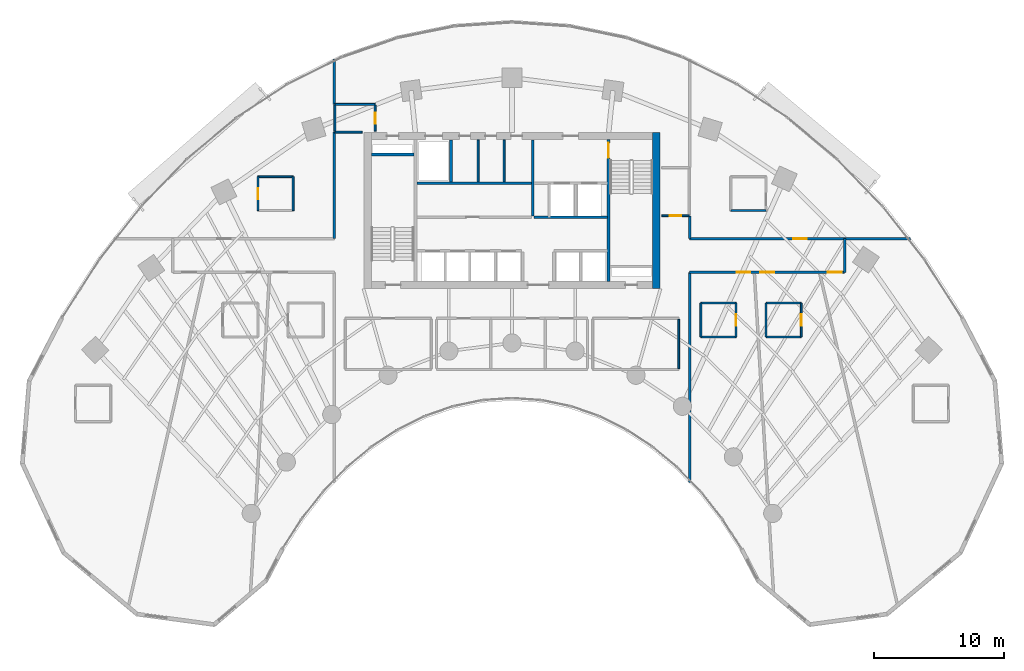
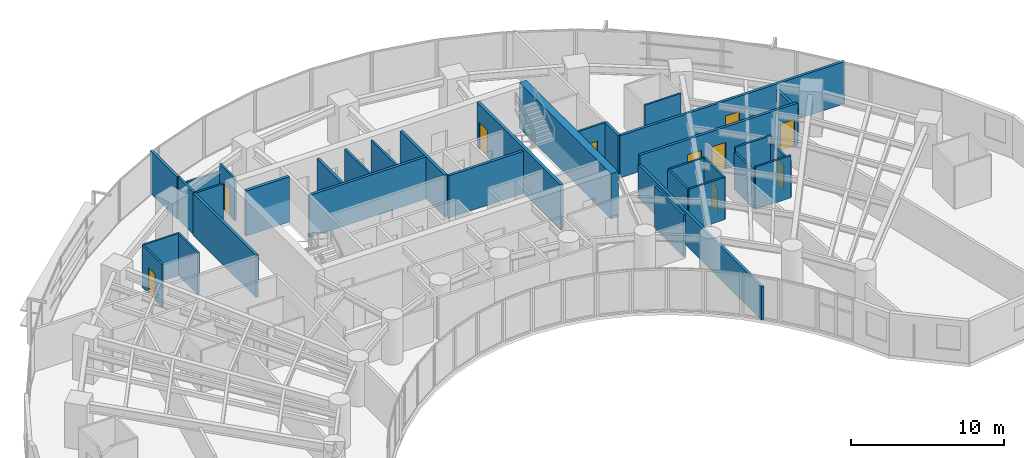
# One storey, part 13 of 17: 34 walls, 10 doors, 10 openings.
"""IFC4 building model written with IfcOpenShell, lengths in metres."""

from ifc_helpers import new_model, si_unit, direction, frame, frame_2d, origin, place, context, subcontext, project, spatial, rectangle, extrude, source, transform, mapped, material, layer, layer_set, type_object, type_shapes, element, fill, save


model = new_model("IFC4")

# Units and contexts
model_context = context("Model", 3, precision=1e-05, world=origin(), true_north=direction((0.0, 1.0)))
body_context = subcontext(model_context, "Body", "Model", "MODEL_VIEW")
ifc_project = project(units=[si_unit("LENGTHUNIT", "METRE"), si_unit("AREAUNIT", "SQUARE_METRE"), si_unit("VOLUMEUNIT", "CUBIC_METRE"), si_unit("PLANEANGLEUNIT", "RADIAN"), si_unit("MASSUNIT", "GRAM", prefix="KILO")], contexts=[model_context])

# Site, building, storey
site_placement = place(None, origin())
site = spatial("IfcSite", under=ifc_project, at=site_placement, CompositionType="ELEMENT")
building_placement = place(site_placement, origin())
building = spatial("IfcBuilding", under=site, at=building_placement, Name="Breltana Convention Tower", CompositionType="ELEMENT")
storey_placement = place(building_placement, frame((0.0, 0.0, 78.60009765625)))
storey = spatial("IfcBuildingStorey", under=building, at=storey_placement, Name="L18", CompositionType="ELEMENT", Elevation=78.60009765625)

# Walls
ifc_material_1 = material(Name="Concrete C60/75", Category="concrete")
ifc_layer_1 = layer(ifc_material_1, 0.550048828125, Name="Concrete C60/75")
ifc_layer_set_1 = layer_set([ifc_layer_1], Name="Concrete C60/75")
wall_type_1 = type_object("IfcWallType", Name="SW-CORE-550", PredefinedType="SHEAR", material=ifc_layer_set_1)
shared_shape_1 = source(origin(), body_context, "Body", "SweptSolid", [
    extrude(rectangle(XDim=12.0, YDim=0.550048828125, at=frame_2d((6.0, 0.0))), origin(), (0.0, 0.0, 1.0), 3.599853515625),
])
wall_1_placement = place(storey_placement, frame((59.074951171875, 60.199951171875, 0.0), z_axis=(0.0, 0.0, 1.0), x_axis=(0.0, 1.0, 0.0)))
element("IfcWall", 1, at=wall_1_placement, inside=storey, type_object=wall_type_1, Name="L18 East Core Shear Wall", PredefinedType="SHEAR", context=body_context, shape_type="MappedRepresentation", body=[
    mapped(shared_shape_1, transform((0.0, 0.0, 0.0), scale=1.0)),
])
ifc_material_2 = material(Name="Concrete C50/60", Category="concrete")
ifc_layer_2 = layer(ifc_material_2, 0.39990234375, Name="Concrete C50/60")
ifc_layer_set_2 = layer_set([ifc_layer_2], Name="Concrete C50/60")
wall_type_2 = type_object("IfcWallType", Name="SW-CORE-400", PredefinedType="SHEAR", material=ifc_layer_set_2)
shared_shape_2 = source(origin(), body_context, "Body", "SweptSolid", [
    extrude(rectangle(XDim=3.27001953125, YDim=0.219970703125, at=frame_2d((1.635009765625, 0.0))), origin(), (0.0, 0.0, 1.0), 3.599853515625),
])
wall_2_placement = place(storey_placement, frame((37.199951171875, 70.510009765625, 0.0), z_axis=(0.0, 0.0, 1.0), x_axis=(1.0, 0.0, 0.0)))
element("IfcWall", 2, at=wall_2_placement, inside=storey, type_object=wall_type_2, Name="L18 ST-1 Stairwell North Bearing Wall", PredefinedType="SHEAR", context=body_context, shape_type="MappedRepresentation", body=[
    mapped(shared_shape_2, transform((0.0, 0.0, 0.0), scale=1.0)),
])

# Wall, opening, door
shared_shape_3 = source(origin(), body_context, "Body", "SweptSolid", [
    extrude(rectangle(XDim=10.89990234375, YDim=0.219970703125, at=frame_2d((5.449951171875, 0.0))), origin(), (0.0, 0.0, 1.0), 3.599853515625),
])
wall_3_placement = place(storey_placement, frame((55.419921875, 60.75, 0.0), z_axis=(0.0, 0.0, 1.0), x_axis=(0.0, 1.0, 0.0)))
wall_3 = element("IfcWall", 3, at=wall_3_placement, inside=storey, type_object=wall_type_2, Name="L18 Core East Stair Spine Wall", PredefinedType="SHEAR", context=body_context, shape_type="MappedRepresentation", body=[
    mapped(shared_shape_3, transform((0.0, 0.0, 0.0), scale=1.0)),
])
opening_1_placement = place(wall_3_placement, frame((9.4951171875, 0.0, 0.0)))
opening_1 = element("IfcOpeningElement", 4, at=opening_1_placement, cuts=wall_3, Name="Opening D-11", PredefinedType="OPENING", context=body_context, shape_type="SweptSolid", body=[
    extrude(rectangle(XDim=1.14990234375, YDim=2.14990234375, at=frame_2d((0.574951171875, 1.074951171875))), frame((0.0, 0.1201171875, 0.0), z_axis=(0.0, -1.0, 0.0), x_axis=(1.0, 0.0, 0.0)), (0.0, 0.0, 1.0), 0.239990234375),
])
ifc_material_3 = material(Name="Steel Stair Exit Door", Category="steel")
door_type_1 = type_object("IfcDoorType", Name="DR-FD120-1150", OperationType="NOTDEFINED", PredefinedType="DOOR", material=ifc_material_3)
shared_shape_4 = source(origin(), body_context, "Body", "SweptSolid", [
    extrude(rectangle(XDim=1.14990234375, YDim=2.14990234375, at=frame_2d((0.574951171875, 1.074951171875))), frame((0.0, 0.02490234375, 0.0), z_axis=(0.0, -1.0, 0.0), x_axis=(1.0, 0.0, 0.0)), (0.0, 0.0, 1.0), 0.050048828125),
])
type_shapes(door_type_1, [shared_shape_4])
door_1_placement = place(opening_1_placement, origin())
door_1 = element("IfcDoor", 5, at=door_1_placement, inside=storey, type_object=door_type_1, Name="L18 interior door D-L18-ST2", OperationType="SINGLE_SWING_LEFT", OverallHeight=2.14990234375, OverallWidth=1.14990234375, PredefinedType="DOOR", context=body_context, shape_type="MappedRepresentation", body=[
    mapped(shared_shape_4, transform((0.0, 0.0, 0.0), scale=1.0)),
])
fill(opening_1, door_1)

# Walls
ifc_material_4 = material(Name="Autoclaved Aerated Concrete Block", Category="concrete")
ifc_layer_3 = layer(ifc_material_4, 0.199951171875, Name="Autoclaved Aerated Concrete Block")
ifc_layer_set_3 = layer_set([ifc_layer_3], Name="Autoclaved Aerated Concrete Block")
wall_type_3 = type_object("IfcWallType", Name="WL-SHAFT-200", PredefinedType="SOLIDWALL", material=ifc_layer_set_3)
shared_shape_5 = source(origin(), body_context, "Body", "SweptSolid", [
    extrude(rectangle(XDim=5.6201171875, YDim=0.199951171875, at=frame_2d((2.81005859375, 0.0))), origin(), (0.0, 0.0, 1.0), 3.35986328125),
])
wall_4_placement = place(storey_placement, frame((49.699951171875, 65.679931640625, 0.0), z_axis=(0.0, 0.0, 1.0), x_axis=(1.0, 0.0, 0.0)))
element("IfcWall", 6, at=wall_4_placement, inside=storey, type_object=wall_type_3, Name="L18 interior partition W-L18-FL-S", PredefinedType="SOLIDWALL", context=body_context, shape_type="MappedRepresentation", body=[
    mapped(shared_shape_5, transform((0.0, 0.0, 0.0), scale=1.0)),
])
shared_shape_6 = source(origin(), body_context, "Body", "SweptSolid", [
    extrude(rectangle(XDim=5.800048828125, YDim=0.199951171875, at=frame_2d((2.89990234375, 0.0))), origin(), (0.0, 0.0, 1.0), 3.35986328125),
])
wall_5_placement = place(storey_placement, frame((49.60009765625, 65.800048828125, 0.0), z_axis=(0.0, 0.0, 1.0), x_axis=(0.0, 1.0, 0.0)))
element("IfcWall", 7, at=wall_5_placement, inside=storey, type_object=wall_type_3, Name="L18 interior partition W-L18-FFL-W", PredefinedType="SOLIDWALL", context=body_context, shape_type="MappedRepresentation", body=[
    mapped(shared_shape_6, transform((0.0, 0.0, 0.0), scale=1.0)),
])
shared_shape_7 = source(origin(), body_context, "Body", "SweptSolid", [
    extrude(rectangle(XDim=3.2001953125, YDim=0.199951171875, at=frame_2d((1.60009765625, 0.0))), origin(), (0.0, 0.0, 1.0), 3.35986328125),
])
wall_6_placement = place(storey_placement, frame((43.320068359375, 68.39990234375, 0.0), z_axis=(0.0, 0.0, 1.0), x_axis=(0.0, 1.0, 0.0)))
element("IfcWall", 8, at=wall_6_placement, inside=storey, type_object=wall_type_3, Name="L18 interior partition W-L18-SV-E", PredefinedType="SOLIDWALL", context=body_context, shape_type="MappedRepresentation", body=[
    mapped(shared_shape_7, transform((0.0, 0.0, 0.0), scale=1.0)),
])
shared_shape_8 = source(origin(), body_context, "Body", "SweptSolid", [
    extrude(rectangle(XDim=8.800048828125, YDim=0.199951171875, at=frame_2d((4.39990234375, 0.0))), origin(), (0.0, 0.0, 1.0), 3.35986328125),
])
wall_7_placement = place(storey_placement, frame((40.699951171875, 68.300048828125, 0.0), z_axis=(0.0, 0.0, 1.0), x_axis=(1.0, 0.0, 0.0)))
element("IfcWall", 9, at=wall_7_placement, inside=storey, type_object=wall_type_3, Name="L18 interior partition W-L18-SV-S", PredefinedType="SOLIDWALL", context=body_context, shape_type="MappedRepresentation", body=[
    mapped(shared_shape_8, transform((0.0, 0.0, 0.0), scale=1.0)),
])
ifc_material_5 = material(Name="Gypsum Acoustic Drywall Partition")
ifc_layer_4 = layer(ifc_material_5, 0.14990234375, Name="Gypsum Acoustic Drywall Partition")
ifc_layer_set_4 = layer_set([ifc_layer_4], Name="Gypsum Acoustic Drywall Partition")
wall_type_4 = type_object("IfcWallType", Name="WL-PART-150", PredefinedType="PARTITIONING", material=ifc_layer_set_4)
shared_shape_9 = source(origin(), body_context, "Body", "SweptSolid", [
    extrude(rectangle(XDim=3.22998046875, YDim=0.14990234375, at=frame_2d((1.614990234375, 0.0))), origin(), (0.0, 0.0, 1.0), 3.35986328125),
])
for number, where, z_axis, x_axis, name in (
    (10, (45.39990234375, 68.39990234375, 0.0), (0.0, 0.0, 1.0), (0.0, 1.0, 0.0), "L18 interior partition W-L18-KV-1"),
    (11, (47.39990234375, 68.39990234375, 0.0), (0.0, 0.0, 1.0), (0.0, 1.0, 0.0), "L18 interior partition W-L18-KV-2"),
):
    element("IfcWall", number, at=place(storey_placement, frame(where, z_axis=z_axis, x_axis=x_axis)), inside=storey, type_object=wall_type_4, Name=name, PredefinedType="PARTITIONING", context=body_context, shape_type="MappedRepresentation", body=[
        mapped(shared_shape_9, transform((0.0, 0.0, 0.0), scale=1.0)),
    ])
shared_shape_10 = source(origin(), body_context, "Body", "SweptSolid", [
    extrude(rectangle(XDim=2.10009765625, YDim=0.14990234375, at=frame_2d((1.050048828125, 0.0))), origin(), (0.0, 0.0, 1.0), 3.35986328125),
])
wall_8_placement = place(storey_placement, frame((34.39990234375, 72.219970703125, 0.0), z_axis=(0.0, 0.0, 1.0), x_axis=(1.0, 0.0, 0.0)))
element("IfcWall", 12, at=wall_8_placement, inside=storey, type_object=wall_type_4, Name="L18 interior partition W-L18-CRNE-S", PredefinedType="PARTITIONING", context=body_context, shape_type="MappedRepresentation", body=[
    mapped(shared_shape_10, transform((0.0, 0.0, 0.0), scale=1.0)),
])

# Wall, opening, door
wall_9_placement = place(storey_placement, frame((59.5, 65.800048828125, 0.0), z_axis=(0.0, 0.0, 1.0), x_axis=(1.0, 0.0, 0.0)))
wall_9 = element("IfcWall", 13, at=wall_9_placement, inside=storey, type_object=wall_type_4, Name="L18 interior partition W-L18-CRSE-S", PredefinedType="PARTITIONING", context=body_context, shape_type="MappedRepresentation", body=[
    mapped(shared_shape_10, transform((0.0, 0.0, 0.0), scale=1.0)),
])
opening_2_placement = place(wall_9_placement, frame((0.625, 0.0, 0.0)))
opening_2 = element("IfcOpeningElement", 14, at=opening_2_placement, cuts=wall_9, Name="Opening D-20", PredefinedType="OPENING", context=body_context, shape_type="SweptSolid", body=[
    extrude(rectangle(XDim=0.85009765625, YDim=2.10009765625, at=frame_2d((0.425048828125, 1.050048828125))), frame((0.0, 0.0849609375, 0.0), z_axis=(0.0, -1.0, 0.0), x_axis=(1.0, 0.0, 0.0)), (0.0, 0.0, 1.0), 0.169921875),
])
ifc_material_6 = material(Name="Steel Closet Fire Door", Category="steel")
door_type_2 = type_object("IfcDoorType", Name="DR-FD60-850", OperationType="NOTDEFINED", PredefinedType="DOOR", material=ifc_material_6)
shared_shape_11 = source(origin(), body_context, "Body", "SweptSolid", [
    extrude(rectangle(XDim=0.85009765625, YDim=2.10009765625, at=frame_2d((0.425048828125, 1.050048828125))), frame((0.0, 0.02490234375, 0.0), z_axis=(0.0, -1.0, 0.0), x_axis=(1.0, 0.0, 0.0)), (0.0, 0.0, 1.0), 0.050048828125),
])
type_shapes(door_type_2, [shared_shape_11])
door_2_placement = place(opening_2_placement, origin())
door_2 = element("IfcDoor", 15, at=door_2_placement, inside=storey, type_object=door_type_2, Name="L18 interior door D-L18-CRSE", OperationType="SINGLE_SWING_LEFT", OverallHeight=2.10009765625, OverallWidth=0.85009765625, PredefinedType="DOOR", context=body_context, shape_type="MappedRepresentation", body=[
    mapped(shared_shape_11, transform((0.0, 0.0, 0.0), scale=1.0)),
])
fill(opening_2, door_2)

# Wall
shared_shape_12 = source(origin(), body_context, "Body", "SweptSolid", [
    extrude(rectangle(XDim=1.994873046875, YDim=0.14990234375, at=frame_2d((0.99755859375, 0.0))), origin(), (0.0, 0.0, 1.0), 3.35986328125),
])
wall_10_placement = place(storey_placement, frame((34.39990234375, 72.28759765625, 0.0), z_axis=(0.0, 0.0, 1.0), x_axis=(0.0, 1.0, 0.0)))
element("IfcWall", 16, at=wall_10_placement, inside=storey, type_object=wall_type_4, Name="L18 interior partition W-L18-CRNE-W", PredefinedType="PARTITIONING", context=body_context, shape_type="MappedRepresentation", body=[
    mapped(shared_shape_12, transform((0.0, 0.0, 0.0), scale=1.0)),
])

# Wall, opening, door
shared_shape_13 = source(origin(), body_context, "Body", "SweptSolid", [
    extrude(rectangle(XDim=1.982421875, YDim=0.14990234375, at=frame_2d((0.9912109375, 0.0))), origin(), (0.0, 0.0, 1.0), 3.35986328125),
])
wall_11_placement = place(storey_placement, frame((37.5, 72.300048828125, 0.0), z_axis=(0.0, 0.0, 1.0), x_axis=(0.0, 1.0, 0.0)))
wall_11 = element("IfcWall", 17, at=wall_11_placement, inside=storey, type_object=wall_type_4, Name="L18 interior partition W-L18-CRNE-E", PredefinedType="PARTITIONING", context=body_context, shape_type="MappedRepresentation", body=[
    mapped(shared_shape_13, transform((0.0, 0.0, 0.0), scale=1.0)),
])
opening_3_placement = place(wall_11_placement, frame((0.56640625, 0.0, 0.0)))
opening_3 = element("IfcOpeningElement", 18, at=opening_3_placement, cuts=wall_11, Name="Opening D-20", PredefinedType="OPENING", context=body_context, shape_type="SweptSolid", body=[
    extrude(rectangle(XDim=0.85009765625, YDim=2.10009765625, at=frame_2d((0.425048828125, 1.050048828125))), frame((0.0, 0.0849609375, 0.0), z_axis=(0.0, -1.0, 0.0), x_axis=(1.0, 0.0, 0.0)), (0.0, 0.0, 1.0), 0.169921875),
])
door_3_placement = place(opening_3_placement, origin())
door_3 = element("IfcDoor", 19, at=door_3_placement, inside=storey, type_object=door_type_2, Name="L18 interior door D-L18-CRNE", OperationType="SINGLE_SWING_RIGHT", OverallHeight=2.10009765625, OverallWidth=0.85009765625, PredefinedType="DOOR", context=body_context, shape_type="MappedRepresentation", body=[
    mapped(shared_shape_11, transform((0.0, 0.0, 0.0), scale=1.0)),
])
fill(opening_3, door_3)

# Walls
shared_shape_14 = source(origin(), body_context, "Body", "SweptSolid", [
    extrude(rectangle(XDim=3.78515625, YDim=0.14990234375, at=frame_2d((1.892578125, 0.0))), origin(), (0.0, 0.0, 1.0), 3.35986328125),
])
wall_12_placement = place(storey_placement, frame((60.800048828125, 54.0673828125, 0.0), z_axis=(0.0, 0.0, 1.0), x_axis=(0.0, 1.0, 0.0)))
element("IfcWall", 20, at=wall_12_placement, inside=storey, type_object=wall_type_4, Name="L18 interior partition W-L18-HMT-E", PredefinedType="PARTITIONING", context=body_context, shape_type="MappedRepresentation", body=[
    mapped(shared_shape_14, transform((0.0, 0.0, 0.0), scale=1.0)),
])
shared_shape_15 = source(origin(), body_context, "Body", "SweptSolid", [
    extrude(rectangle(XDim=3.10009765625, YDim=0.14990234375, at=frame_2d((1.550048828125, 0.0))), origin(), (0.0, 0.0, 1.0), 2.72900390625),
])
wall_13_placement = place(storey_placement, frame((34.39990234375, 74.35009765625, 0.0), z_axis=(0.0, 0.0, 1.0), x_axis=(1.0, 0.0, 0.0)))
element("IfcWall", 21, at=wall_13_placement, inside=storey, type_object=wall_type_4, Name="L18 interior partition W-L18-CRNE-N", PredefinedType="PARTITIONING", context=body_context, shape_type="MappedRepresentation", body=[
    mapped(shared_shape_15, transform((0.0, 0.0, 0.0), scale=1.0)),
])
ifc_material_7 = material(Name="Gypsum Acoustic Hotel Wall")
ifc_layer_5 = layer(ifc_material_7, 0.195068359375, Name="Gypsum Acoustic Hotel Wall")
ifc_layer_set_5 = layer_set([ifc_layer_5], Name="Gypsum Acoustic Hotel Wall")
wall_type_5 = type_object("IfcWallType", Name="WL-HOTEL-200", PredefinedType="PARTITIONING", material=ifc_layer_set_5)
shared_shape_16 = source(origin(), body_context, "Body", "SweptSolid", [
    extrude(rectangle(XDim=2.580078125, YDim=0.195068359375, at=frame_2d((1.2900390625, 0.0))), origin(), (0.0, 0.0, 1.0), 2.8798828125),
])
wall_14_placement = place(storey_placement, frame((73.5400390625, 61.4599609375, 0.0), z_axis=(0.0, 0.0, 1.0), x_axis=(0.0, 1.0, 0.0)))
element("IfcWall", 22, at=wall_14_placement, inside=storey, type_object=wall_type_5, Name="L18 interior partition W-L18-CORHE-END", PredefinedType="PARTITIONING", context=body_context, shape_type="MappedRepresentation", body=[
    mapped(shared_shape_16, transform((0.0, 0.0, 0.0), scale=1.0)),
])
shared_shape_17 = source(origin(), body_context, "Body", "SweptSolid", [
    extrude(rectangle(XDim=8.179931640625, YDim=0.195068359375, at=frame_2d((4.08984375, 0.0))), origin(), (0.0, 0.0, 1.0), 3.35986328125),
])
wall_15_placement = place(storey_placement, frame((34.360107421875, 64.0400390625, 0.0), z_axis=(0.0, 0.0, 1.0), x_axis=(0.0, 1.0, 0.0)))
element("IfcWall", 23, at=wall_15_placement, inside=storey, type_object=wall_type_5, Name="L18 interior partition W-L18-PHWN-CW1", PredefinedType="PARTITIONING", context=body_context, shape_type="MappedRepresentation", body=[
    mapped(shared_shape_17, transform((0.0, 0.0, 0.0), scale=1.0)),
])
shared_shape_18 = source(origin(), body_context, "Body", "SweptSolid", [
    extrude(rectangle(XDim=3.474365234375, YDim=0.195068359375, at=frame_2d((1.7373046875, 0.0))), origin(), (0.0, 0.0, 1.0), 3.35986328125),
])
wall_16_placement = place(storey_placement, frame((34.360107421875, 74.35009765625, 0.0), z_axis=(0.0, 0.0, 1.0), x_axis=(0.0, 1.0, 0.0)))
element("IfcWall", 24, at=wall_16_placement, inside=storey, type_object=wall_type_5, Name="L18 interior partition W-L18-PHWN-CW2", PredefinedType="PARTITIONING", context=body_context, shape_type="MappedRepresentation", body=[
    mapped(shared_shape_18, transform((0.0, 0.0, 0.0), scale=1.0)),
])
shared_shape_19 = source(origin(), body_context, "Body", "SweptSolid", [
    extrude(rectangle(XDim=1.760009765625, YDim=0.195068359375, at=frame_2d((0.8798828125, 0.0))), origin(), (0.0, 0.0, 1.0), 3.35986328125),
])
wall_17_placement = place(storey_placement, frame((61.639892578125, 64.0400390625, 0.0), z_axis=(0.0, 0.0, 1.0), x_axis=(0.0, 1.0, 0.0)))
element("IfcWall", 25, at=wall_17_placement, inside=storey, type_object=wall_type_5, Name="L18 interior partition W-L18-PHEN-CE1", PredefinedType="PARTITIONING", context=body_context, shape_type="MappedRepresentation", body=[
    mapped(shared_shape_19, transform((0.0, 0.0, 0.0), scale=1.0)),
])
shared_shape_20 = source(origin(), body_context, "Body", "SweptSolid", [
    extrude(rectangle(XDim=16.13427734375, YDim=0.195068359375, at=frame_2d((8.067138671875, 0.0))), origin(), (0.0, 0.0, 1.0), 2.643798828125),
])
wall_18_placement = place(storey_placement, frame((61.639892578125, 45.32568359375, 0.0), z_axis=(0.0, 0.0, 1.0), x_axis=(0.0, 1.0, 0.0)))
element("IfcWall", 26, at=wall_18_placement, inside=storey, type_object=wall_type_5, Name="L18 interior partition W-L18-SUM-E", PredefinedType="PARTITIONING", context=body_context, shape_type="MappedRepresentation", body=[
    mapped(shared_shape_20, transform((0.0, 0.0, 0.0), scale=1.0)),
])

# Wall, opening, door
shared_shape_21 = source(origin(), body_context, "Body", "SweptSolid", [
    extrude(rectangle(XDim=16.9296875, YDim=0.195068359375, at=frame_2d((8.46484375, 0.0))), origin(), (0.0, 0.0, 1.0), 3.35986328125),
])
wall_19_placement = place(storey_placement, frame((61.639892578125, 64.0400390625, 0.0), z_axis=(0.0, 0.0, 1.0), x_axis=(1.0, 0.0, 0.0)))
wall_19 = element("IfcWall", 27, at=wall_19_placement, inside=storey, type_object=wall_type_5, Name="L18 interior partition W-L18-CORHE-N", PredefinedType="PARTITIONING", context=body_context, shape_type="MappedRepresentation", body=[
    mapped(shared_shape_21, transform((0.0, 0.0, 0.0), scale=1.0)),
])
opening_4_placement = place(wall_19_placement, frame((7.939697265625, 0.0, 0.0)))
opening_4 = element("IfcOpeningElement", 28, at=opening_4_placement, cuts=wall_19, Name="Opening D-13", PredefinedType="OPENING", context=body_context, shape_type="SweptSolid", body=[
    extrude(rectangle(XDim=1.050048828125, YDim=2.14990234375, at=frame_2d((0.52490234375, 1.074951171875))), frame((0.0, 0.107421875, 0.0), z_axis=(0.0, -1.0, 0.0), x_axis=(1.0, 0.0, 0.0)), (0.0, 0.0, 1.0), 0.215087890625),
])
ifc_material_8 = material(Name="Timber Solid-Core Fire Door", Category="wood")
door_type_3 = type_object("IfcDoorType", Name="DR-FD60-1050", OperationType="NOTDEFINED", PredefinedType="DOOR", material=ifc_material_8)
shared_shape_22 = source(origin(), body_context, "Body", "SweptSolid", [
    extrude(rectangle(XDim=1.050048828125, YDim=2.14990234375, at=frame_2d((0.52490234375, 1.074951171875))), frame((0.0, 0.02490234375, 0.0), z_axis=(0.0, -1.0, 0.0), x_axis=(1.0, 0.0, 0.0)), (0.0, 0.0, 1.0), 0.050048828125),
])
type_shapes(door_type_3, [shared_shape_22])
door_4_placement = place(opening_4_placement, origin())
door_4 = element("IfcDoor", 29, at=door_4_placement, inside=storey, type_object=door_type_3, Name="L18 interior door D-L18-PHEN1", OperationType="SINGLE_SWING_LEFT", OverallHeight=2.14990234375, OverallWidth=1.050048828125, PredefinedType="DOOR", context=body_context, shape_type="MappedRepresentation", body=[
    mapped(shared_shape_22, transform((0.0, 0.0, 0.0), scale=1.0)),
])
fill(opening_4, door_4)

# Wall, openings, doors
shared_shape_23 = source(origin(), body_context, "Body", "SweptSolid", [
    extrude(rectangle(XDim=11.900146484375, YDim=0.195068359375, at=frame_2d((5.9501953125, 0.0))), origin(), (0.0, 0.0, 1.0), 3.35986328125),
])
wall_20_placement = place(storey_placement, frame((61.639892578125, 61.4599609375, 0.0), z_axis=(0.0, 0.0, 1.0), x_axis=(1.0, 0.0, 0.0)))
wall_20 = element("IfcWall", 30, at=wall_20_placement, inside=storey, type_object=wall_type_5, Name="L18 interior partition W-L18-CORHE-S", PredefinedType="PARTITIONING", context=body_context, shape_type="MappedRepresentation", body=[
    mapped(shared_shape_23, transform((0.0, 0.0, 0.0), scale=1.0)),
])
opening_5_placement = place(wall_20_placement, frame((3.610107421875, 0.0, 0.0)))
opening_5 = element("IfcOpeningElement", 31, at=opening_5_placement, cuts=wall_20, Name="Opening D-13", PredefinedType="OPENING", context=body_context, shape_type="SweptSolid", body=[
    extrude(rectangle(XDim=1.050048828125, YDim=2.14990234375, at=frame_2d((0.52490234375, 1.074951171875))), frame((0.0, 0.107421875, 0.0), z_axis=(0.0, -1.0, 0.0), x_axis=(1.0, 0.0, 0.0)), (0.0, 0.0, 1.0), 0.215087890625),
])
opening_6_placement = place(wall_20_placement, frame((5.425048828125, 0.0, 0.0)))
opening_6 = element("IfcOpeningElement", 32, at=opening_6_placement, cuts=wall_20, Name="Opening D-13", PredefinedType="OPENING", context=body_context, shape_type="SweptSolid", body=[
    extrude(rectangle(XDim=1.050048828125, YDim=2.14990234375, at=frame_2d((0.52490234375, 1.074951171875))), frame((0.0, 0.107421875, 0.0), z_axis=(0.0, -1.0, 0.0), x_axis=(1.0, 0.0, 0.0)), (0.0, 0.0, 1.0), 0.215087890625),
])
opening_7_placement = place(wall_20_placement, frame((10.610107421875, 0.0, 0.0)))
opening_7 = element("IfcOpeningElement", 33, at=opening_7_placement, cuts=wall_20, Name="Opening D-13", PredefinedType="OPENING", context=body_context, shape_type="SweptSolid", body=[
    extrude(rectangle(XDim=1.050048828125, YDim=2.14990234375, at=frame_2d((0.52490234375, 1.074951171875))), frame((0.0, 0.107421875, 0.0), z_axis=(0.0, -1.0, 0.0), x_axis=(1.0, 0.0, 0.0)), (0.0, 0.0, 1.0), 0.215087890625),
])
door_5_placement = place(opening_5_placement, origin())
door_5 = element("IfcDoor", 34, at=door_5_placement, inside=storey, type_object=door_type_3, Name="L18 interior door D-L18-PHES1", OperationType="SINGLE_SWING_LEFT", OverallHeight=2.14990234375, OverallWidth=1.050048828125, PredefinedType="DOOR", context=body_context, shape_type="MappedRepresentation", body=[
    mapped(shared_shape_22, transform((0.0, 0.0, 0.0), scale=1.0)),
])
fill(opening_5, door_5)
door_6_placement = place(opening_6_placement, origin())
door_6 = element("IfcDoor", 35, at=door_6_placement, inside=storey, type_object=door_type_3, Name="L18 interior door D-L18-PHES2", OperationType="SINGLE_SWING_LEFT", OverallHeight=2.14990234375, OverallWidth=1.050048828125, PredefinedType="DOOR", context=body_context, shape_type="MappedRepresentation", body=[
    mapped(shared_shape_22, transform((0.0, 0.0, 0.0), scale=1.0)),
])
fill(opening_6, door_6)
door_7_placement = place(opening_7_placement, origin())
door_7 = element("IfcDoor", 36, at=door_7_placement, inside=storey, type_object=door_type_3, Name="L18 interior door D-L18-PHES3", OperationType="SINGLE_SWING_LEFT", OverallHeight=2.14990234375, OverallWidth=1.050048828125, PredefinedType="DOOR", context=body_context, shape_type="MappedRepresentation", body=[
    mapped(shared_shape_22, transform((0.0, 0.0, 0.0), scale=1.0)),
])
fill(opening_7, door_7)

# Walls
ifc_material_9 = material(Name="Moisture-Resistant En-Suite Partition")
ifc_layer_6 = layer(ifc_material_9, 0.139892578125, Name="Moisture-Resistant En-Suite Partition")
ifc_layer_set_6 = layer_set([ifc_layer_6], Name="Moisture-Resistant En-Suite Partition")
wall_type_6 = type_object("IfcWallType", Name="WL-WET-150", PredefinedType="PARTITIONING", material=ifc_layer_set_6)
shared_shape_24 = source(origin(), body_context, "Body", "SweptSolid", [
    extrude(rectangle(XDim=2.699951171875, YDim=0.139892578125, at=frame_2d((1.35009765625, 0.0))), origin(), (0.0, 0.0, 1.0), 3.35986328125),
])
for number, where, z_axis, x_axis, name in (
    (37, (28.5, 68.800048828125, 0.0), (0.0, 0.0, 1.0), (1.0, 0.0, 0.0), "L18 interior partition W-L18-PHWN1E-N"),
    (38, (64.800048828125, 66.199951171875, 0.0), (0.0, 0.0, 1.0), (1.0, 0.0, 0.0), "L18 interior partition W-L18-PHEN1E-S"),
    (39, (62.5, 59.10009765625, 0.0), (0.0, 0.0, 1.0), (1.0, 0.0, 0.0), "L18 interior partition W-L18-PHES1E-N"),
    (40, (62.5, 56.5, 0.0), (0.0, 0.0, 1.0), (1.0, 0.0, 0.0), "L18 interior partition W-L18-PHES1E-S"),
    (41, (67.5, 59.10009765625, 0.0), (0.0, 0.0, 1.0), (1.0, 0.0, 0.0), "L18 interior partition W-L18-PHES2E-N"),
    (42, (67.5, 56.5, 0.0), (0.0, 0.0, 1.0), (1.0, 0.0, 0.0), "L18 interior partition W-L18-PHES2E-S"),
):
    element("IfcWall", number, at=place(storey_placement, frame(where, z_axis=z_axis, x_axis=x_axis)), inside=storey, type_object=wall_type_6, Name=name, PredefinedType="PARTITIONING", context=body_context, shape_type="MappedRepresentation", body=[
        mapped(shared_shape_24, transform((0.0, 0.0, 0.0), scale=1.0)),
    ])

# Wall, opening, door
shared_shape_25 = source(origin(), body_context, "Body", "SweptSolid", [
    extrude(rectangle(XDim=2.60009765625, YDim=0.139892578125, at=frame_2d((1.300048828125, 0.0))), origin(), (0.0, 0.0, 1.0), 3.35986328125),
])
wall_21_placement = place(storey_placement, frame((28.5, 66.199951171875, 0.0), z_axis=(0.0, 0.0, 1.0), x_axis=(0.0, 1.0, 0.0)))
wall_21 = element("IfcWall", 43, at=wall_21_placement, inside=storey, type_object=wall_type_6, Name="L18 interior partition W-L18-PHWN1E-W", PredefinedType="PARTITIONING", context=body_context, shape_type="MappedRepresentation", body=[
    mapped(shared_shape_25, transform((0.0, 0.0, 0.0), scale=1.0)),
])
opening_8_placement = place(wall_21_placement, frame((0.875, 0.0, 0.0)))
opening_8 = element("IfcOpeningElement", 44, at=opening_8_placement, cuts=wall_21, Name="Opening D-21", PredefinedType="OPENING", context=body_context, shape_type="SweptSolid", body=[
    extrude(rectangle(XDim=0.85009765625, YDim=2.050048828125, at=frame_2d((0.425048828125, 1.02490234375))), frame((0.0, 0.080078125, 0.0), z_axis=(0.0, -1.0, 0.0), x_axis=(1.0, 0.0, 0.0)), (0.0, 0.0, 1.0), 0.159912109375),
])
ifc_material_10 = material(Name="Timber Moisture-Resistant En-Suite Door", Category="wood")
door_type_4 = type_object("IfcDoorType", Name="DR-WET-850", OperationType="NOTDEFINED", PredefinedType="DOOR", material=ifc_material_10)
shared_shape_26 = source(origin(), body_context, "Body", "SweptSolid", [
    extrude(rectangle(XDim=0.85009765625, YDim=2.050048828125, at=frame_2d((0.425048828125, 1.02490234375))), frame((0.0, 0.02490234375, 0.0), z_axis=(0.0, -1.0, 0.0), x_axis=(1.0, 0.0, 0.0)), (0.0, 0.0, 1.0), 0.050048828125),
])
type_shapes(door_type_4, [shared_shape_26])
door_8_placement = place(opening_8_placement, origin())
door_8 = element("IfcDoor", 45, at=door_8_placement, inside=storey, type_object=door_type_4, Name="L18 interior door D-L18-PHWN1E", OperationType="SINGLE_SWING_RIGHT", OverallHeight=2.050048828125, OverallWidth=0.85009765625, PredefinedType="DOOR", context=body_context, shape_type="MappedRepresentation", body=[
    mapped(shared_shape_26, transform((0.0, 0.0, 0.0), scale=1.0)),
])
fill(opening_8, door_8)

# Walls
for number, where, z_axis, x_axis, name in (
    (46, (31.199951171875, 66.199951171875, 0.0), (0.0, 0.0, 1.0), (0.0, 1.0, 0.0), "L18 interior partition W-L18-PHWN1E-E"),
    (47, (62.5, 56.5, 0.0), (0.0, 0.0, 1.0), (0.0, 1.0, 0.0), "L18 interior partition W-L18-PHES1E-W"),
):
    element("IfcWall", number, at=place(storey_placement, frame(where, z_axis=z_axis, x_axis=x_axis)), inside=storey, type_object=wall_type_6, Name=name, PredefinedType="PARTITIONING", context=body_context, shape_type="MappedRepresentation", body=[
        mapped(shared_shape_25, transform((0.0, 0.0, 0.0), scale=1.0)),
    ])

# Wall, opening, door
wall_22_placement = place(storey_placement, frame((65.199951171875, 56.5, 0.0), z_axis=(0.0, 0.0, 1.0), x_axis=(0.0, 1.0, 0.0)))
wall_22 = element("IfcWall", 48, at=wall_22_placement, inside=storey, type_object=wall_type_6, Name="L18 interior partition W-L18-PHES1E-E", PredefinedType="PARTITIONING", context=body_context, shape_type="MappedRepresentation", body=[
    mapped(shared_shape_25, transform((0.0, 0.0, 0.0), scale=1.0)),
])
opening_9_placement = place(wall_22_placement, frame((0.875, 0.0, 0.0)))
opening_9 = element("IfcOpeningElement", 49, at=opening_9_placement, cuts=wall_22, Name="Opening D-21", PredefinedType="OPENING", context=body_context, shape_type="SweptSolid", body=[
    extrude(rectangle(XDim=0.85009765625, YDim=2.050048828125, at=frame_2d((0.425048828125, 1.02490234375))), frame((0.0, 0.080078125, 0.0), z_axis=(0.0, -1.0, 0.0), x_axis=(1.0, 0.0, 0.0)), (0.0, 0.0, 1.0), 0.159912109375),
])
door_9_placement = place(opening_9_placement, origin())
door_9 = element("IfcDoor", 50, at=door_9_placement, inside=storey, type_object=door_type_4, Name="L18 interior door D-L18-PHES1E", OperationType="SINGLE_SWING_RIGHT", OverallHeight=2.050048828125, OverallWidth=0.85009765625, PredefinedType="DOOR", context=body_context, shape_type="MappedRepresentation", body=[
    mapped(shared_shape_26, transform((0.0, 0.0, 0.0), scale=1.0)),
])
fill(opening_9, door_9)

shared_shape_27 = source(origin(), body_context, "Body", "SweptSolid", [
    extrude(rectangle(XDim=2.60009765625, YDim=0.139892578125, at=frame_2d((1.300048828125, 0.0))), origin(), (0.0, 0.0, 1.0), 2.8798828125),
])
wall_23_placement = place(storey_placement, frame((70.199951171875, 56.5, 0.0), z_axis=(0.0, 0.0, 1.0), x_axis=(0.0, 1.0, 0.0)))
wall_23 = element("IfcWall", 51, at=wall_23_placement, inside=storey, type_object=wall_type_6, Name="L18 interior partition W-L18-PHES2E-E", PredefinedType="PARTITIONING", context=body_context, shape_type="MappedRepresentation", body=[
    mapped(shared_shape_27, transform((0.0, 0.0, 0.0), scale=1.0)),
])
opening_10_placement = place(wall_23_placement, frame((0.875, 0.0, 0.0)))
opening_10 = element("IfcOpeningElement", 52, at=opening_10_placement, cuts=wall_23, Name="Opening D-21", PredefinedType="OPENING", context=body_context, shape_type="SweptSolid", body=[
    extrude(rectangle(XDim=0.85009765625, YDim=2.050048828125, at=frame_2d((0.425048828125, 1.02490234375))), frame((0.0, 0.080078125, 0.0), z_axis=(0.0, -1.0, 0.0), x_axis=(1.0, 0.0, 0.0)), (0.0, 0.0, 1.0), 0.159912109375),
])
door_10_placement = place(opening_10_placement, origin())
door_10 = element("IfcDoor", 53, at=door_10_placement, inside=storey, type_object=door_type_4, Name="L18 interior door D-L18-PHES2E", OperationType="SINGLE_SWING_RIGHT", OverallHeight=2.050048828125, OverallWidth=0.85009765625, PredefinedType="DOOR", context=body_context, shape_type="MappedRepresentation", body=[
    mapped(shared_shape_26, transform((0.0, 0.0, 0.0), scale=1.0)),
])
fill(opening_10, door_10)

# Wall
shared_shape_28 = source(origin(), body_context, "Body", "SweptSolid", [
    extrude(rectangle(XDim=2.60009765625, YDim=0.139892578125, at=frame_2d((1.300048828125, 0.0))), origin(), (0.0, 0.0, 1.0), 2.989990234375),
])
wall_24_placement = place(storey_placement, frame((67.5, 56.5, 0.0), z_axis=(0.0, 0.0, 1.0), x_axis=(0.0, 1.0, 0.0)))
element("IfcWall", 54, at=wall_24_placement, inside=storey, type_object=wall_type_6, Name="L18 interior partition W-L18-PHES2E-W", PredefinedType="PARTITIONING", context=body_context, shape_type="MappedRepresentation", body=[
    mapped(shared_shape_28, transform((0.0, 0.0, 0.0), scale=1.0)),
])

save(model, "model.ifc")
